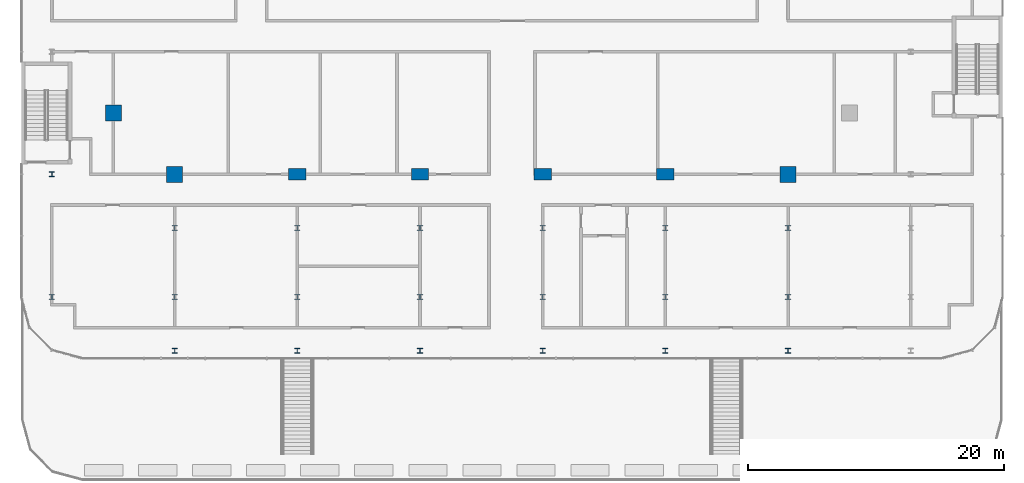
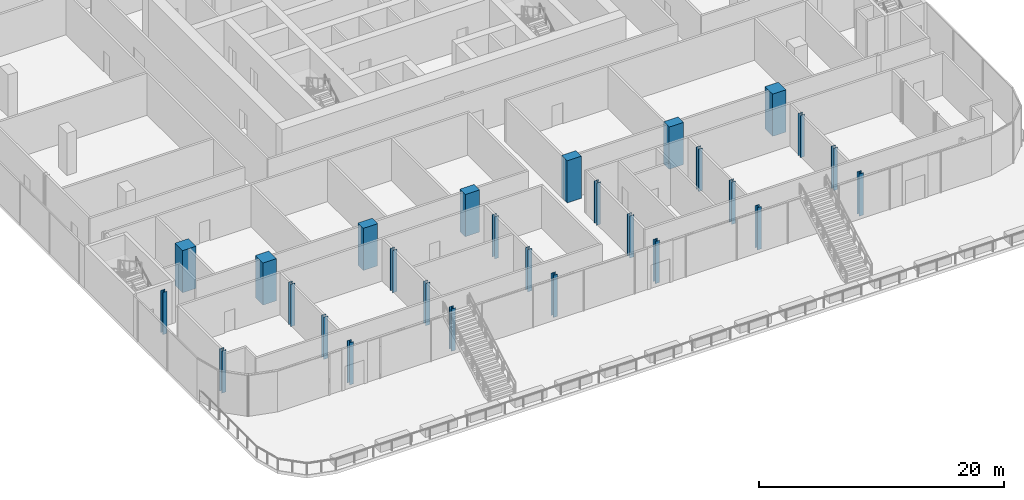
# One storey, part 1 of 38: 27 columns.
"""IFC4 building model written with IfcOpenShell, lengths in metres."""

from ifc_helpers import new_model, si_unit, direction, frame, origin, origin_2d, place, context, subcontext, project, spatial, rectangle, i_section, extrude, material, material_profile, profile_set, type_object, element, save


model = new_model("IFC4")

# Units and contexts
model_context = context("Model", 3, precision=1e-05, world=origin(), true_north=direction((0.0, 1.0)))
body_context = subcontext(model_context, "Body", "Model", "MODEL_VIEW")
ifc_project = project(units=[si_unit("LENGTHUNIT", "METRE"), si_unit("AREAUNIT", "SQUARE_METRE"), si_unit("VOLUMEUNIT", "CUBIC_METRE"), si_unit("PLANEANGLEUNIT", "RADIAN"), si_unit("MASSUNIT", "GRAM", prefix="KILO")], contexts=[model_context])

# Site, building, storey
site_placement = place(None, origin())
site = spatial("IfcSite", under=ifc_project, at=site_placement, CompositionType="ELEMENT")
building_placement = place(site_placement, origin())
building = spatial("IfcBuilding", under=site, at=building_placement, Name="Madar Terraces", CompositionType="ELEMENT")
storey_placement = place(building_placement, frame((0.0, 0.0, 15.0)))
storey = spatial("IfcBuildingStorey", under=building, at=storey_placement, Name="L03", CompositionType="ELEMENT", Elevation=15.0)

# Columns
ifc_material_1 = material(Name="Concrete C80/95", Category="concrete")
ifc_material_profile_1 = material_profile(ifc_material_1, rectangle(XDim=1.35009765625, YDim=0.89990234375, at=origin_2d()), Name="CC1 RC 1350x900")
ifc_profile_set_1 = profile_set([ifc_material_profile_1], Name="Concrete C80/95")
column_type_1 = type_object("IfcColumnType", Name="CC1 RC 1350x900", PredefinedType="COLUMN", material=ifc_profile_set_1)
for number, where, z_axis, x_axis, name in (
    (1, (14.39990234375, 0.0, 0.0), (0.0, 0.0, 1.0), (1.0, 0.0, 0.0), "Perimeter column S2"),
    (2, (24.0, 0.0, 0.0), (0.0, 0.0, 1.0), (1.0, 0.0, 0.0), "Perimeter column S3"),
    (3, (33.60009765625, 0.0, 0.0), (0.0, 0.0, 1.0), (1.0, 0.0, 0.0), "Perimeter column S4"),
    (4, (43.199951171875, 0.0, 0.0), (0.0, 0.0, 1.0), (1.0, 0.0, 0.0), "Perimeter column S5"),
):
    element("IfcColumn", number, at=place(storey_placement, frame(where, z_axis=z_axis, x_axis=x_axis)), inside=storey, type_object=column_type_1, Name=name, PredefinedType="COLUMN", context=body_context, shape_type="SweptSolid", body=[
        extrude(rectangle(XDim=1.35009765625, YDim=0.89990234375, at=origin_2d()), origin(), (0.0, 0.0, 1.0), 4.199951171875),
    ])
ifc_material_2 = material(Name="Concrete C80/95", Category="concrete")
ifc_material_profile_2 = material_profile(ifc_material_2, rectangle(XDim=1.25, YDim=1.25, at=origin_2d()), Name="KC1 RC 1250x1250")
ifc_profile_set_2 = profile_set([ifc_material_profile_2], Name="Concrete C80/95")
column_type_2 = type_object("IfcColumnType", Name="KC1 RC 1250x1250", PredefinedType="COLUMN", material=ifc_profile_set_2)
for number, where, z_axis, x_axis, name in (
    (5, (4.800048828125, 0.0, 0.0), (0.0, 0.0, 1.0), (1.0, 0.0, 0.0), "Perimeter column S1"),
    (6, (52.800048828125, 0.0, 0.0), (0.0, 0.0, 1.0), (1.0, 0.0, 0.0), "Perimeter column S6"),
    (7, (0.0, 4.800048828125, 0.0), (0.0, 0.0, 1.0), (1.0, 0.0, 0.0), "Perimeter column W5"),
):
    element("IfcColumn", number, at=place(storey_placement, frame(where, z_axis=z_axis, x_axis=x_axis)), inside=storey, type_object=column_type_2, Name=name, PredefinedType="COLUMN", context=body_context, shape_type="SweptSolid", body=[
        extrude(rectangle(XDim=1.25, YDim=1.25, at=origin_2d()), origin(), (0.0, 0.0, 1.0), 4.199951171875),
    ])
ifc_material_3 = material(Name="Steel ASTM A992 Grade 50", Category="steel")
ifc_material_profile_3 = material_profile(ifc_material_3, i_section(OverallWidth=0.396240234375, OverallDepth=0.381103515625, WebThickness=0.01904296875, FlangeThickness=0.0302734375, at=origin_2d()), Name="W14x159")
ifc_profile_set_3 = profile_set([ifc_material_profile_3], Name="Steel ASTM A992 Grade 50")
column_type_3 = type_object("IfcColumnType", Name="PC2 W14x159", PredefinedType="COLUMN", material=ifc_profile_set_3)
for number, where, z_axis, x_axis, name in (
    (8, (-4.800048828125, -9.60009765625, 0.0), (0.0, 0.0, 1.0), (1.0, 0.0, 0.0), "Podium column PC2"),
    (9, (-4.800048828125, 0.0, 0.0), (0.0, 0.0, 1.0), (1.0, 0.0, 0.0), "Podium column PC2"),
    (10, (4.800048828125, -13.800048828125, 0.0), (0.0, 0.0, 1.0), (1.0, 0.0, 0.0), "Podium column PC2"),
    (11, (4.800048828125, -9.60009765625, 0.0), (0.0, 0.0, 1.0), (1.0, 0.0, 0.0), "Podium column PC2"),
    (12, (4.800048828125, -4.199951171875, 0.0), (0.0, 0.0, 1.0), (1.0, 0.0, 0.0), "Podium column PC2"),
    (13, (14.39990234375, -13.800048828125, 0.0), (0.0, 0.0, 1.0), (1.0, 0.0, 0.0), "Podium column PC2"),
    (14, (14.39990234375, -9.60009765625, 0.0), (0.0, 0.0, 1.0), (1.0, 0.0, 0.0), "Podium column PC2"),
    (15, (14.39990234375, -4.199951171875, 0.0), (0.0, 0.0, 1.0), (1.0, 0.0, 0.0), "Podium column PC2"),
    (16, (24.0, -13.800048828125, 0.0), (0.0, 0.0, 1.0), (1.0, 0.0, 0.0), "Podium column PC2"),
    (17, (24.0, -9.60009765625, 0.0), (0.0, 0.0, 1.0), (1.0, 0.0, 0.0), "Podium column PC2"),
    (18, (24.0, -4.199951171875, 0.0), (0.0, 0.0, 1.0), (1.0, 0.0, 0.0), "Podium column PC2"),
    (19, (33.60009765625, -13.800048828125, 0.0), (0.0, 0.0, 1.0), (1.0, 0.0, 0.0), "Podium column PC2"),
    (20, (33.60009765625, -9.60009765625, 0.0), (0.0, 0.0, 1.0), (1.0, 0.0, 0.0), "Podium column PC2"),
    (21, (33.60009765625, -4.199951171875, 0.0), (0.0, 0.0, 1.0), (1.0, 0.0, 0.0), "Podium column PC2"),
    (22, (43.199951171875, -13.800048828125, 0.0), (0.0, 0.0, 1.0), (1.0, 0.0, 0.0), "Podium column PC2"),
    (23, (43.199951171875, -9.60009765625, 0.0), (0.0, 0.0, 1.0), (1.0, 0.0, 0.0), "Podium column PC2"),
    (24, (43.199951171875, -4.199951171875, 0.0), (0.0, 0.0, 1.0), (1.0, 0.0, 0.0), "Podium column PC2"),
    (25, (52.800048828125, -13.800048828125, 0.0), (0.0, 0.0, 1.0), (1.0, 0.0, 0.0), "Podium column PC2"),
    (26, (52.800048828125, -9.60009765625, 0.0), (0.0, 0.0, 1.0), (1.0, 0.0, 0.0), "Podium column PC2"),
    (27, (52.800048828125, -4.199951171875, 0.0), (0.0, 0.0, 1.0), (1.0, 0.0, 0.0), "Podium column PC2"),
):
    element("IfcColumn", number, at=place(storey_placement, frame(where, z_axis=z_axis, x_axis=x_axis)), inside=storey, type_object=column_type_3, Name=name, PredefinedType="COLUMN", context=body_context, shape_type="SweptSolid", body=[
        extrude(i_section(OverallWidth=0.396240234375, OverallDepth=0.381103515625, WebThickness=0.01904296875, FlangeThickness=0.0302734375, at=origin_2d()), origin(), (0.0, 0.0, 1.0), 4.199951171875),
    ])

save(model, "model.ifc")
